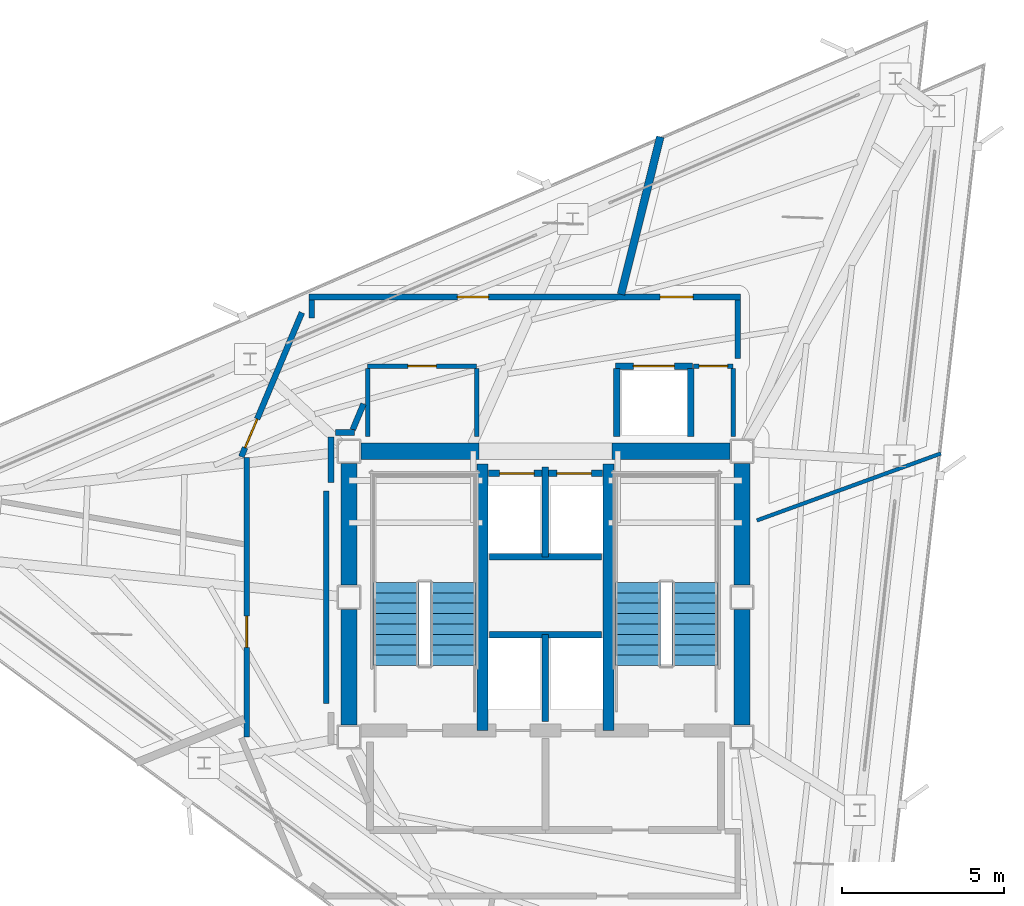
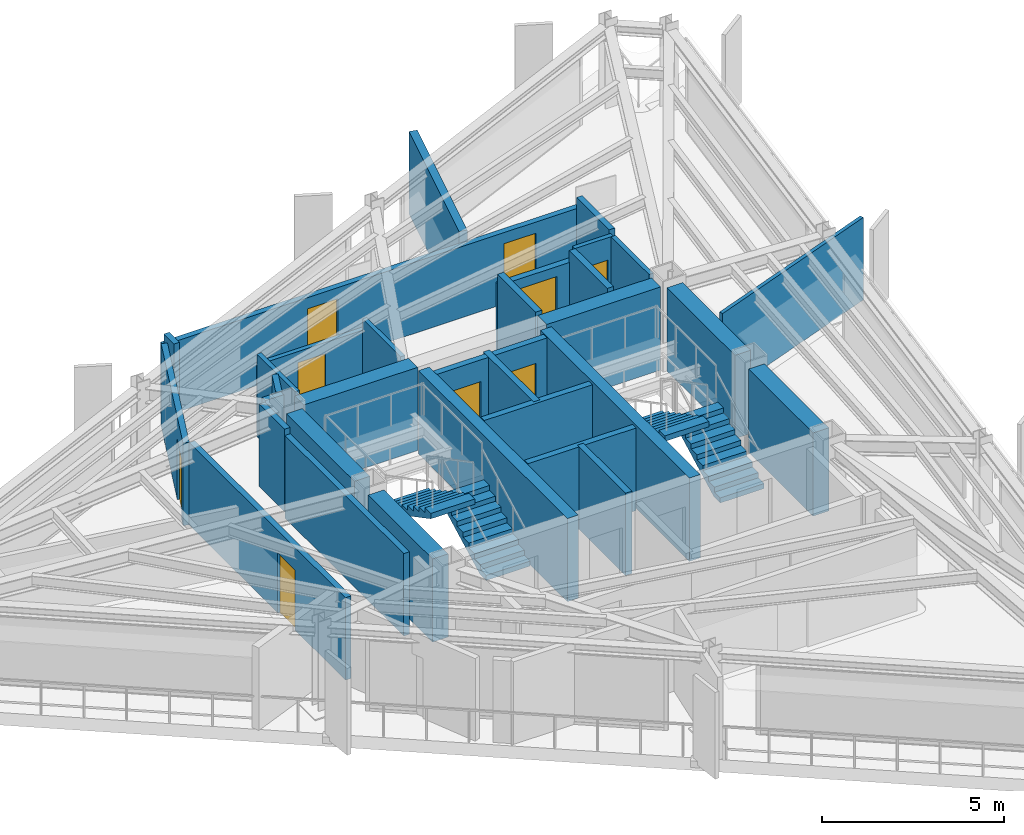
# One storey, part 6 of 10: 32 walls, 9 doors, 4 stair flights, 9 openings, 2 elements without a shape of their own.
"""IFC4 building model written with IfcOpenShell, lengths in metres."""

from ifc_helpers import new_model, si_unit, direction, frame, frame_2d, origin, place, context, subcontext, project, spatial, polyline, rectangle, outline, extrude, material, layer, layer_set, type_object, element, fill, aggregate, save


model = new_model("IFC4")

# Units and contexts
model_context = context("Model", 3, precision=1e-05, world=origin(), true_north=direction((0.0, 1.0)))
body_context = subcontext(model_context, "Body", "Model", "MODEL_VIEW")
ifc_project = project(units=[si_unit("LENGTHUNIT", "METRE"), si_unit("AREAUNIT", "SQUARE_METRE"), si_unit("VOLUMEUNIT", "CUBIC_METRE"), si_unit("PLANEANGLEUNIT", "RADIAN"), si_unit("MASSUNIT", "GRAM", prefix="KILO")], contexts=[model_context])

# Site, building, storey
site_placement = place(None, origin())
site = spatial("IfcSite", under=ifc_project, at=site_placement, CompositionType="ELEMENT")
building_placement = place(site_placement, origin())
building = spatial("IfcBuilding", under=site, at=building_placement, Name="Rocaltana Carrier Exchange", CompositionType="ELEMENT")
storey_placement = place(building_placement, frame((0.0, 0.0, 214.8798828125)))
storey = spatial("IfcBuildingStorey", under=building, at=storey_placement, Name="L68", CompositionType="ELEMENT", Elevation=214.8798828125)

# Walls
ifc_material_1 = material(Name="Concrete C50/60", Category="concrete")
ifc_layer_1 = layer(ifc_material_1, 0.35009765625)
ifc_layer_set_1 = layer_set([ifc_layer_1], Name="Concrete C50/60")
wall_type_1 = type_object("IfcWallType", Name="Core Internal Shear Wall 350", PredefinedType="SHEAR", material=ifc_layer_set_1)
for number, where, z_axis, x_axis, name in (
    (1, (-1.93994140625, -4.10009765625, 0.0), (0.0, 0.0, 1.0), (0.0, 1.0, 0.0), "L68 Core Shear Wall CW-STW"),
    (2, (1.93994140625, -4.10009765625, 0.0), (0.0, 0.0, 1.0), (0.0, 1.0, 0.0), "L68 Core Shear Wall CW-STE"),
):
    element("IfcWall", number, at=place(storey_placement, frame(where, z_axis=z_axis, x_axis=x_axis)), inside=storey, type_object=wall_type_1, Name=name, PredefinedType="SHEAR", context=body_context, shape_type="SweptSolid", body=[
        extrude(rectangle(XDim=8.2001953125, YDim=0.35009765625, at=frame_2d((4.10009765625, 0.0))), origin(), (0.0, 0.0, 1.0), 2.798095703125),
    ])
ifc_material_2 = material(Name="Concrete C50/60", Category="concrete")
ifc_layer_2 = layer(ifc_material_2, 0.5)
ifc_layer_set_2 = layer_set([ifc_layer_2], Name="Concrete C50/60")
wall_type_2 = type_object("IfcWallType", Name="Core Shear Wall 500", PredefinedType="SHEAR", material=ifc_layer_set_2)
wall_1_placement = place(storey_placement, frame((-6.050048828125, 0.375, 0.0), z_axis=(0.0, 0.0, 1.0), x_axis=(0.0, 1.0, 0.0)))
element("IfcWall", 3, at=wall_1_placement, inside=storey, type_object=wall_type_2, Name="L68 Core Shear Wall CW-WN", PredefinedType="SHEAR", context=body_context, shape_type="SweptSolid", body=[
    extrude(rectangle(XDim=3.75, YDim=0.5, at=frame_2d((1.875, 0.0))), origin(), (0.0, 0.0, 1.0), 2.798095703125),
])
wall_2_placement = place(storey_placement, frame((-6.050048828125, -3.925048828125, 0.0), z_axis=(0.0, 0.0, 1.0), x_axis=(0.0, 1.0, 0.0)))
element("IfcWall", 4, at=wall_2_placement, inside=storey, type_object=wall_type_2, Name="L68 Core Shear Wall CW-WS", PredefinedType="SHEAR", context=body_context, shape_type="SweptSolid", body=[
    extrude(rectangle(XDim=3.550048828125, YDim=0.5, at=frame_2d((1.77490234375, 0.0))), origin(), (0.0, 0.0, 1.0), 2.798095703125),
])
wall_3_placement = place(storey_placement, frame((6.050048828125, 0.375, 0.0), z_axis=(0.0, 0.0, 1.0), x_axis=(0.0, 1.0, 0.0)))
element("IfcWall", 5, at=wall_3_placement, inside=storey, type_object=wall_type_2, Name="L68 Core Shear Wall CW-EN", PredefinedType="SHEAR", context=body_context, shape_type="SweptSolid", body=[
    extrude(rectangle(XDim=3.75, YDim=0.5, at=frame_2d((1.875, 0.0))), origin(), (0.0, 0.0, 1.0), 2.798095703125),
])
wall_4_placement = place(storey_placement, frame((6.050048828125, -3.925048828125, 0.0), z_axis=(0.0, 0.0, 1.0), x_axis=(0.0, 1.0, 0.0)))
element("IfcWall", 6, at=wall_4_placement, inside=storey, type_object=wall_type_2, Name="L68 Core Shear Wall CW-ES", PredefinedType="SHEAR", context=body_context, shape_type="SweptSolid", body=[
    extrude(rectangle(XDim=3.550048828125, YDim=0.5, at=frame_2d((1.77490234375, 0.0))), origin(), (0.0, 0.0, 1.0), 2.798095703125),
])
for number, where, z_axis, x_axis, name in (
    (7, (-5.675048828125, 4.5, 0.0), (0.0, 0.0, 1.0), (1.0, 0.0, 0.0), "L68 Core Shear Wall CW-N1"),
    (8, (2.050048828125, 4.5, 0.0), (0.0, 0.0, 1.0), (1.0, 0.0, 0.0), "L68 Core Shear Wall CW-N2"),
):
    element("IfcWall", number, at=place(storey_placement, frame(where, z_axis=z_axis, x_axis=x_axis)), inside=storey, type_object=wall_type_2, Name=name, PredefinedType="SHEAR", context=body_context, shape_type="SweptSolid", body=[
        extrude(rectangle(XDim=3.625, YDim=0.5, at=frame_2d((1.8125, 0.0))), origin(), (0.0, 0.0, 1.0), 2.798095703125),
    ])

# Wall, opening, door
ifc_material_3 = material(Name="Gypsum & Steel Stud Partition", Category="steel")
ifc_layer_3 = layer(ifc_material_3, 0.179931640625)
ifc_layer_set_3 = layer_set([ifc_layer_3], Name="Gypsum & Steel Stud Partition")
wall_type_3 = type_object("IfcWallType", Name="Corridor Fire Partition 180 EI60", PredefinedType="PARTITIONING", material=ifc_layer_set_3)
wall_5_placement = place(storey_placement, frame((-9.199951171875, -4.303466796875, 0.0), z_axis=(0.0, 0.0, 1.0), x_axis=(0.0, 1.0, 0.0)))
wall_5 = element("IfcWall", 9, at=wall_5_placement, inside=storey, type_object=wall_type_3, Name="L68 Corridor Partition 2", PredefinedType="PARTITIONING", context=body_context, shape_type="SweptSolid", body=[
    extrude(rectangle(XDim=8.60693359375, YDim=0.179931640625, at=frame_2d((4.303466796875, 0.0))), origin(), (0.0, 0.0, 1.0), 2.773193359375),
])
opening_1_placement = place(wall_5_placement, frame((2.76708984375, 0.0, 0.0)))
opening_1 = element("IfcOpeningElement", 10, at=opening_1_placement, cuts=wall_5, Name="Opening D-RM098", PredefinedType="OPENING", context=body_context, shape_type="SweptSolid", body=[
    extrude(rectangle(XDim=0.9599609375, YDim=2.02001953125, at=frame_2d((0.47998046875, 1.010009765625))), frame((0.0, 0.099853515625, 0.0), z_axis=(0.0, -1.0, 0.0), x_axis=(1.0, 0.0, 0.0)), (0.0, 0.0, 1.0), 0.199951171875),
])
ifc_material_4 = material(Name="Engineered Hardwood Timber", Category="wood")
door_type_1 = type_object("IfcDoorType", Name="Workspace Single Door 960x2020", OperationType="NOTDEFINED", PredefinedType="DOOR", material=ifc_material_4)
door_1_placement = place(opening_1_placement, origin())
door_1 = element("IfcDoor", 11, at=door_1_placement, inside=storey, type_object=door_type_1, Name="L68 Network Engineering Studio Entrance Door", OperationType="SINGLE_SWING_LEFT", OverallHeight=2.02001953125, OverallWidth=0.9599609375, PredefinedType="DOOR", context=body_context, shape_type="SweptSolid", body=[
    extrude(rectangle(XDim=0.9599609375, YDim=2.02001953125, at=frame_2d((0.47998046875, 1.010009765625))), frame((0.0, 0.02490234375, 0.0), z_axis=(0.0, -1.0, 0.0), x_axis=(1.0, 0.0, 0.0)), (0.0, 0.0, 1.0), 0.050048828125),
])
fill(opening_1, door_1)

wall_6_placement = place(storey_placement, frame((-9.36669921875, 4.331787109375, 0.0), z_axis=(0.0, 0.0, 1.0), x_axis=(0.387573945081, 0.921838617706, 0.0)))
wall_6 = element("IfcWall", 12, at=wall_6_placement, inside=storey, type_object=wall_type_3, Name="L68 Corridor Partition 3", PredefinedType="PARTITIONING", context=body_context, shape_type="SweptSolid", body=[
    extrude(rectangle(XDim=4.813232421875, YDim=0.179931640625, at=frame_2d((2.40673828125, 0.0))), origin(), (0.0, 0.0, 1.0), 2.773193359375),
])
opening_2_placement = place(wall_6_placement, frame((0.302490234375, 0.0, 0.0)))
opening_2 = element("IfcOpeningElement", 13, at=opening_2_placement, cuts=wall_6, Name="Opening D-RM098", PredefinedType="OPENING", context=body_context, shape_type="SweptSolid", body=[
    extrude(rectangle(XDim=0.9599609375, YDim=2.02001953125, at=frame_2d((0.47998046875, 1.010009765625))), frame((0.0, 0.099853515625, 0.0), z_axis=(0.0, -1.0, 0.0), x_axis=(1.0, 0.0, 0.0)), (0.0, 0.0, 1.0), 0.199951171875),
])
door_2_placement = place(opening_2_placement, origin())
door_2 = element("IfcDoor", 14, at=door_2_placement, inside=storey, type_object=door_type_1, Name="L68 Quiet Focus Lounge Entrance Door", OperationType="SINGLE_SWING_LEFT", OverallHeight=2.02001953125, OverallWidth=0.9599609375, PredefinedType="DOOR", context=body_context, shape_type="SweptSolid", body=[
    extrude(rectangle(XDim=0.9599609375, YDim=2.02001953125, at=frame_2d((0.47998046875, 1.010009765625))), frame((0.0, 0.02490234375, 0.0), z_axis=(0.0, -1.0, 0.0), x_axis=(1.0, 0.0, 0.0)), (0.0, 0.0, 1.0), 0.050048828125),
])
fill(opening_2, door_2)

# Wall
wall_7_placement = place(storey_placement, frame((-7.199951171875, 8.6005859375, 0.0), z_axis=(0.0, 0.0, 1.0), x_axis=(0.0, 1.0, 0.0)))
element("IfcWall", 15, at=wall_7_placement, inside=storey, type_object=wall_type_3, Name="L68 Corridor Partition 4", PredefinedType="PARTITIONING", context=body_context, shape_type="SweptSolid", body=[
    extrude(rectangle(XDim=0.559326171875, YDim=0.179931640625, at=frame_2d((0.27978515625, 0.0))), origin(), (0.0, 0.0, 1.0), 2.773193359375),
])

# Wall, openings, doors
wall_8_placement = place(storey_placement, frame((-7.2900390625, 9.25, 0.0), z_axis=(0.0, 0.0, 1.0), x_axis=(1.0, 0.0, 0.0)))
wall_8 = element("IfcWall", 16, at=wall_8_placement, inside=storey, type_object=wall_type_3, Name="L68 Corridor Partition 5", PredefinedType="PARTITIONING", context=body_context, shape_type="SweptSolid", body=[
    extrude(rectangle(XDim=13.300048828125, YDim=0.179931640625, at=frame_2d((6.64990234375, 0.0))), origin(), (0.0, 0.0, 1.0), 2.39501953125),
])
opening_3_placement = place(wall_8_placement, frame((10.819091796875, 0.0, 0.0)))
opening_3 = element("IfcOpeningElement", 17, at=opening_3_placement, cuts=wall_8, Name="Opening D-LB104", PredefinedType="OPENING", context=body_context, shape_type="SweptSolid", body=[
    extrude(rectangle(XDim=1.02001953125, YDim=2.02001953125, at=frame_2d((0.510009765625, 1.010009765625))), frame((0.0, 0.099853515625, 0.0), z_axis=(0.0, -1.0, 0.0), x_axis=(1.0, 0.0, 0.0)), (0.0, 0.0, 1.0), 0.199951171875),
])
opening_4_placement = place(wall_8_placement, frame((4.5751953125, 0.0, 0.0)))
opening_4 = element("IfcOpeningElement", 18, at=opening_4_placement, cuts=wall_8, Name="Opening D-RM098", PredefinedType="OPENING", context=body_context, shape_type="SweptSolid", body=[
    extrude(rectangle(XDim=0.9599609375, YDim=2.02001953125, at=frame_2d((0.47998046875, 1.010009765625))), frame((0.0, 0.099853515625, 0.0), z_axis=(0.0, -1.0, 0.0), x_axis=(1.0, 0.0, 0.0)), (0.0, 0.0, 1.0), 0.199951171875),
])
ifc_material_5 = material(Name="Powder-Coated Aluminium 6063-T6", Category="aluminium")
door_type_2 = type_object("IfcDoorType", Name="Laboratory Acoustic Door 1020x2020", OperationType="NOTDEFINED", PredefinedType="DOOR", material=ifc_material_5)
door_3_placement = place(opening_3_placement, origin())
door_3 = element("IfcDoor", 19, at=door_3_placement, inside=storey, type_object=door_type_2, Name="L68 Protocol Calibration Laboratory Entrance Door", OperationType="SINGLE_SWING_LEFT", OverallHeight=2.02001953125, OverallWidth=1.02001953125, PredefinedType="DOOR", context=body_context, shape_type="SweptSolid", body=[
    extrude(rectangle(XDim=1.02001953125, YDim=2.02001953125, at=frame_2d((0.510009765625, 1.010009765625))), frame((0.0, 0.02490234375, 0.0), z_axis=(0.0, -1.0, 0.0), x_axis=(1.0, 0.0, 0.0)), (0.0, 0.0, 1.0), 0.050048828125),
])
fill(opening_3, door_3)
door_4_placement = place(opening_4_placement, origin())
door_4 = element("IfcDoor", 20, at=door_4_placement, inside=storey, type_object=door_type_1, Name="L68 Network Engineering Studio Entrance Door", OperationType="SINGLE_SWING_RIGHT", OverallHeight=2.02001953125, OverallWidth=0.9599609375, PredefinedType="DOOR", context=body_context, shape_type="SweptSolid", body=[
    extrude(rectangle(XDim=0.9599609375, YDim=2.02001953125, at=frame_2d((0.47998046875, 1.010009765625))), frame((0.0, 0.02490234375, 0.0), z_axis=(0.0, -1.0, 0.0), x_axis=(1.0, 0.0, 0.0)), (0.0, 0.0, 1.0), 0.050048828125),
])
fill(opening_4, door_4)

# Walls
wall_9_placement = place(storey_placement, frame((5.919921875, 9.159912109375, 0.0), z_axis=(0.0, 0.0, 1.0), x_axis=(0.0, -1.0, 0.0)))
element("IfcWall", 21, at=wall_9_placement, inside=storey, type_object=wall_type_3, Name="L68 Corridor Partition 6", PredefinedType="PARTITIONING", context=body_context, shape_type="SweptSolid", body=[
    extrude(rectangle(XDim=1.7998046875, YDim=0.179931640625, at=frame_2d((0.89990234375, 0.0))), origin(), (0.0, 0.0, 1.0), 2.773193359375),
])
wall_10_placement = place(storey_placement, frame((-5.602294921875, 5.9580078125, 0.0), z_axis=(0.0, 0.0, 1.0), x_axis=(-0.387588639363, -0.921832439566, 0.0)))
element("IfcWall", 22, at=wall_10_placement, inside=storey, type_object=wall_type_3, Name="L68 Corridor Partition 8", PredefinedType="PARTITIONING", context=body_context, shape_type="SweptSolid", body=[
    extrude(rectangle(XDim=0.8623046875, YDim=0.179931640625, at=frame_2d((0.43115234375, 0.0))), origin(), (0.0, 0.0, 1.0), 2.773193359375),
])
wall_11_placement = place(storey_placement, frame((-5.88134765625, 5.080078125, 0.0), z_axis=(0.0, 0.0, 1.0), x_axis=(-1.0, 0.0, 0.0)))
element("IfcWall", 23, at=wall_11_placement, inside=storey, type_object=wall_type_3, Name="L68 Corridor Partition 9", PredefinedType="PARTITIONING", context=body_context, shape_type="SweptSolid", body=[
    extrude(rectangle(XDim=0.588623046875, YDim=0.179931640625, at=frame_2d((0.29443359375, 0.0))), origin(), (0.0, 0.0, 1.0), 2.773193359375),
])
wall_12_placement = place(storey_placement, frame((-6.610107421875, 4.93994140625, 0.0), z_axis=(0.0, 0.0, 1.0), x_axis=(0.0, -1.0, 0.0)))
element("IfcWall", 24, at=wall_12_placement, inside=storey, type_object=wall_type_3, Name="L68 Corridor Partition 10", PredefinedType="PARTITIONING", context=body_context, shape_type="SweptSolid", body=[
    extrude(rectangle(XDim=1.398681640625, YDim=0.179931640625, at=frame_2d((0.69921875, 0.0))), origin(), (0.0, 0.0, 1.0), 2.773193359375),
])
wall_13_placement = place(storey_placement, frame((-6.75, 3.2734375, 0.0), z_axis=(0.0, 0.0, 1.0), x_axis=(0.0, -1.0, 0.0)))
element("IfcWall", 25, at=wall_13_placement, inside=storey, type_object=wall_type_3, Name="L68 Corridor Partition 11", PredefinedType="PARTITIONING", context=body_context, shape_type="SweptSolid", body=[
    extrude(rectangle(XDim=6.546875, YDim=0.179931640625, at=frame_2d((3.2734375, 0.0))), origin(), (0.0, 0.0, 1.0), 2.773193359375),
])
ifc_material_6 = material(Name="Aluminium 6063-T6 & Acoustic Glass", Category="aluminium")
ifc_layer_4 = layer(ifc_material_6, 0.114990234375)
ifc_layer_set_4 = layer_set([ifc_layer_4], Name="Aluminium 6063-T6 & Acoustic Glass")
wall_type_4 = type_object("IfcWallType", Name="Demountable Glazed Lab Partition 115", PredefinedType="MOVABLE", material=ifc_layer_set_4)
wall_14_placement = place(storey_placement, frame((6.510009765625, 2.369384765625, 0.0), z_axis=(0.0, 0.0, 1.0), x_axis=(0.939690503952, 0.342025959222, 0.0)))
element("IfcWall", 26, at=wall_14_placement, inside=storey, type_object=wall_type_4, Name="L68 Suite Divider Wall D3", PredefinedType="MOVABLE", context=body_context, shape_type="SweptSolid", body=[
    extrude(rectangle(XDim=6.028076171875, YDim=0.114990234375, at=frame_2d((3.01416015625, 0.0))), origin(), (0.0, 0.0, 1.0), 2.773193359375),
])
ifc_material_7 = material(Name="Acoustic Calcium Silicate Partition", Category="gypsum")
ifc_layer_5 = layer(ifc_material_7, 0.239990234375)
ifc_layer_set_5 = layer_set([ifc_layer_5], Name="Acoustic Calcium Silicate Partition")
wall_type_5 = type_object("IfcWallType", Name="Heavy Lab Partition 240 EI90", PredefinedType="PARTITIONING", material=ifc_layer_set_5)
wall_15_placement = place(storey_placement, frame((2.326171875, 9.330078125, 0.0), z_axis=(0.0, 0.0, 1.0), x_axis=(0.24192658113, 0.97029455803, 0.0)))
element("IfcWall", 27, at=wall_15_placement, inside=storey, type_object=wall_type_5, Name="L68 Suite Divider Wall D4", PredefinedType="PARTITIONING", context=body_context, shape_type="SweptSolid", body=[
    extrude(rectangle(XDim=4.999267578125, YDim=0.239990234375, at=frame_2d((2.49951171875, 0.0))), origin(), (0.0, 0.0, 1.0), 2.773193359375),
])
ifc_material_8 = material(Name="Reinforced Concrete Block C35/45", Category="concrete")
ifc_layer_6 = layer(ifc_material_8, 0.199951171875)
ifc_layer_set_6 = layer_set([ifc_layer_6], Name="Reinforced Concrete Block C35/45")
wall_type_6 = type_object("IfcWallType", Name="Lift Hoistway Enclosure Wall 200 EI120", PredefinedType="PARTITIONING", material=ifc_layer_set_6)
wall_16_placement = place(storey_placement, frame((0.0, -3.820068359375, 0.0), z_axis=(0.0, 0.0, 1.0), x_axis=(0.0, 1.0, 0.0)))
element("IfcWall", 28, at=wall_16_placement, inside=storey, type_object=wall_type_6, Name="L68 FFL Shaft Divider", PredefinedType="PARTITIONING", context=body_context, shape_type="SweptSolid", body=[
    extrude(rectangle(XDim=2.670166015625, YDim=0.199951171875, at=frame_2d((1.3349609375, 0.0))), origin(), (0.0, 0.0, 1.0), 2.773193359375),
])
wall_17_placement = place(storey_placement, frame((-1.719970703125, -1.14990234375, 0.0), z_axis=(0.0, 0.0, 1.0), x_axis=(1.0, 0.0, 0.0)))
element("IfcWall", 29, at=wall_17_placement, inside=storey, type_object=wall_type_6, Name="L68 FFL Shaft Back Wall", PredefinedType="PARTITIONING", context=body_context, shape_type="SweptSolid", body=[
    extrude(rectangle(XDim=3.43994140625, YDim=0.199951171875, at=frame_2d((1.719970703125, 0.0))), origin(), (0.0, 0.0, 1.0), 2.773193359375),
])
wall_18_placement = place(storey_placement, frame((0.0, 1.25, 0.0), z_axis=(0.0, 0.0, 1.0), x_axis=(0.0, 1.0, 0.0)))
element("IfcWall", 30, at=wall_18_placement, inside=storey, type_object=wall_type_6, Name="L68 High-Rise Shaft Divider", PredefinedType="PARTITIONING", context=body_context, shape_type="SweptSolid", body=[
    extrude(rectangle(XDim=2.77001953125, YDim=0.199951171875, at=frame_2d((1.385009765625, 0.0))), origin(), (0.0, 0.0, 1.0), 2.773193359375),
])
wall_19_placement = place(storey_placement, frame((-1.719970703125, 1.25, 0.0), z_axis=(0.0, 0.0, 1.0), x_axis=(1.0, 0.0, 0.0)))
element("IfcWall", 31, at=wall_19_placement, inside=storey, type_object=wall_type_6, Name="L68 High-Rise Shaft Back Wall", PredefinedType="PARTITIONING", context=body_context, shape_type="SweptSolid", body=[
    extrude(rectangle(XDim=3.43994140625, YDim=0.199951171875, at=frame_2d((1.719970703125, 0.0))), origin(), (0.0, 0.0, 1.0), 2.773193359375),
])

# Wall, openings, doors
wall_20_placement = place(storey_placement, frame((-1.760009765625, 3.820068359375, 0.0), z_axis=(0.0, 0.0, 1.0), x_axis=(1.0, 0.0, 0.0)))
wall_20 = element("IfcWall", 32, at=wall_20_placement, inside=storey, type_object=wall_type_6, Name="L68 High-Rise Lift Front Wall", PredefinedType="PARTITIONING", context=body_context, shape_type="SweptSolid", body=[
    extrude(rectangle(XDim=3.52001953125, YDim=0.199951171875, at=frame_2d((1.760009765625, 0.0))), origin(), (0.0, 0.0, 1.0), 2.773193359375),
])
opening_5_placement = place(wall_20_placement, frame((0.35009765625, 0.0, 0.0)))
opening_5 = element("IfcOpeningElement", 33, at=opening_5_placement, cuts=wall_20, Name="Opening LD-110", PredefinedType="OPENING", context=body_context, shape_type="SweptSolid", body=[
    extrude(rectangle(XDim=1.06005859375, YDim=2.0400390625, at=frame_2d((0.530029296875, 1.02001953125))), frame((0.0, 0.10986328125, 0.0), z_axis=(0.0, -1.0, 0.0), x_axis=(1.0, 0.0, 0.0)), (0.0, 0.0, 1.0), 0.219970703125),
])
opening_6_placement = place(wall_20_placement, frame((2.110107421875, 0.0, 0.0)))
opening_6 = element("IfcOpeningElement", 34, at=opening_6_placement, cuts=wall_20, Name="Opening LD-110", PredefinedType="OPENING", context=body_context, shape_type="SweptSolid", body=[
    extrude(rectangle(XDim=1.06005859375, YDim=2.0400390625, at=frame_2d((0.530029296875, 1.02001953125))), frame((0.0, 0.10986328125, 0.0), z_axis=(0.0, -1.0, 0.0), x_axis=(1.0, 0.0, 0.0)), (0.0, 0.0, 1.0), 0.219970703125),
])
ifc_material_9 = material(Name="Brushed Stainless Sliding Door Leaf", Category="steel")
door_type_3 = type_object("IfcDoorType", Name="Lift Landing Sliding Door 1060x2040", OperationType="NOTDEFINED", PredefinedType="DOOR", material=ifc_material_9)
door_5_placement = place(opening_5_placement, origin())
door_5 = element("IfcDoor", 35, at=door_5_placement, inside=storey, type_object=door_type_3, Name="L68 High-Rise Lift PLH1 Landing Door", OperationType="SLIDING_TO_LEFT", OverallHeight=2.0400390625, OverallWidth=1.06005859375, PredefinedType="DOOR", context=body_context, shape_type="SweptSolid", body=[
    extrude(rectangle(XDim=1.06005859375, YDim=2.0400390625, at=frame_2d((0.530029296875, 1.02001953125))), frame((0.0, 0.02490234375, 0.0), z_axis=(0.0, -1.0, 0.0), x_axis=(1.0, 0.0, 0.0)), (0.0, 0.0, 1.0), 0.050048828125),
])
fill(opening_5, door_5)
door_6_placement = place(opening_6_placement, origin())
door_6 = element("IfcDoor", 36, at=door_6_placement, inside=storey, type_object=door_type_3, Name="L68 High-Rise Lift PLH2 Landing Door", OperationType="SLIDING_TO_RIGHT", OverallHeight=2.0400390625, OverallWidth=1.06005859375, PredefinedType="DOOR", context=body_context, shape_type="SweptSolid", body=[
    extrude(rectangle(XDim=1.06005859375, YDim=2.0400390625, at=frame_2d((0.530029296875, 1.02001953125))), frame((0.0, 0.02490234375, 0.0), z_axis=(0.0, -1.0, 0.0), x_axis=(1.0, 0.0, 0.0)), (0.0, 0.0, 1.0), 0.050048828125),
])
fill(opening_6, door_6)

# Walls
for number, where, z_axis, x_axis, name in (
    (37, (2.199951171875, 4.949951171875, 0.0), (0.0, 0.0, 1.0), (0.0, 1.0, 0.0), "L68 Goods Lift West Wall"),
    (38, (4.47998046875, 4.949951171875, 0.0), (0.0, 0.0, 1.0), (0.0, 1.0, 0.0), "L68 Goods Lift East Wall"),
):
    element("IfcWall", number, at=place(storey_placement, frame(where, z_axis=z_axis, x_axis=x_axis)), inside=storey, type_object=wall_type_6, Name=name, PredefinedType="PARTITIONING", context=body_context, shape_type="SweptSolid", body=[
        extrude(rectangle(XDim=2.10009765625, YDim=0.199951171875, at=frame_2d((1.050048828125, 0.0))), origin(), (0.0, 0.0, 1.0), 2.773193359375),
    ])

# Wall, opening, door
wall_21_placement = place(storey_placement, frame((2.14990234375, 7.1201171875, 0.0), z_axis=(0.0, 0.0, 1.0), x_axis=(1.0, 0.0, 0.0)))
wall_21 = element("IfcWall", 39, at=wall_21_placement, inside=storey, type_object=wall_type_6, Name="L68 Goods Lift Front Wall", PredefinedType="PARTITIONING", context=body_context, shape_type="SweptSolid", body=[
    extrude(rectangle(XDim=2.380126953125, YDim=0.199951171875, at=frame_2d((1.18994140625, 0.0))), origin(), (0.0, 0.0, 1.0), 2.39501953125),
])
opening_7_placement = place(wall_21_placement, frame((0.56005859375, 0.0, 0.0)))
opening_7 = element("IfcOpeningElement", 40, at=opening_7_placement, cuts=wall_21, Name="Opening LD-130", PredefinedType="OPENING", context=body_context, shape_type="SweptSolid", body=[
    extrude(rectangle(XDim=1.260009765625, YDim=2.06005859375, at=frame_2d((0.6298828125, 1.030029296875))), frame((0.0, 0.10986328125, 0.0), z_axis=(0.0, -1.0, 0.0), x_axis=(1.0, 0.0, 0.0)), (0.0, 0.0, 1.0), 0.219970703125),
])
ifc_material_10 = material(Name="Brushed Stainless Sliding Door Leaf", Category="steel")
door_type_4 = type_object("IfcDoorType", Name="Goods Lift Landing Sliding Door 1260x2060", OperationType="NOTDEFINED", PredefinedType="DOOR", material=ifc_material_10)
door_7_placement = place(opening_7_placement, origin())
door_7 = element("IfcDoor", 41, at=door_7_placement, inside=storey, type_object=door_type_4, Name="L68 Goods Lift GL-1 Landing Door", OperationType="SLIDING_TO_LEFT", OverallHeight=2.06005859375, OverallWidth=1.260009765625, PredefinedType="DOOR", context=body_context, shape_type="SweptSolid", body=[
    extrude(rectangle(XDim=1.260009765625, YDim=2.06005859375, at=frame_2d((0.6298828125, 1.030029296875))), frame((0.0, 0.02490234375, 0.0), z_axis=(0.0, -1.0, 0.0), x_axis=(1.0, 0.0, 0.0)), (0.0, 0.0, 1.0), 0.050048828125),
])
fill(opening_7, door_7)

# Walls
ifc_material_11 = material(Name="Moisture-Resistant Masonry C30/37", Category="masonry")
ifc_layer_7 = layer(ifc_material_11, 0.139892578125)
ifc_layer_set_7 = layer_set([ifc_layer_7], Name="Moisture-Resistant Masonry C30/37")
wall_type_7 = type_object("IfcWallType", Name="Wet-Area Sanitary Partition 140", PredefinedType="PARTITIONING", material=ifc_layer_set_7)
for number, where, z_axis, x_axis, name in (
    (42, (-5.47998046875, 4.949951171875, 0.0), (0.0, 0.0, 1.0), (0.0, 1.0, 0.0), "L68 Sanitary West Wall"),
    (43, (-2.1201171875, 4.949951171875, 0.0), (0.0, 0.0, 1.0), (0.0, 1.0, 0.0), "L68 Sanitary East Wall"),
):
    element("IfcWall", number, at=place(storey_placement, frame(where, z_axis=z_axis, x_axis=x_axis)), inside=storey, type_object=wall_type_7, Name=name, PredefinedType="PARTITIONING", context=body_context, shape_type="SweptSolid", body=[
        extrude(rectangle(XDim=2.10009765625, YDim=0.139892578125, at=frame_2d((1.050048828125, 0.0))), origin(), (0.0, 0.0, 1.0), 2.773193359375),
    ])

# Wall, opening, door
wall_22_placement = place(storey_placement, frame((-5.47998046875, 7.1201171875, 0.0), z_axis=(0.0, 0.0, 1.0), x_axis=(1.0, 0.0, 0.0)))
wall_22 = element("IfcWall", 44, at=wall_22_placement, inside=storey, type_object=wall_type_7, Name="L68 Sanitary North Wall", PredefinedType="PARTITIONING", context=body_context, shape_type="SweptSolid", body=[
    extrude(rectangle(XDim=3.35986328125, YDim=0.139892578125, at=frame_2d((1.679931640625, 0.0))), origin(), (0.0, 0.0, 1.0), 2.39501953125),
])
opening_8_placement = place(wall_22_placement, frame((1.239990234375, 0.0, 0.0)))
opening_8 = element("IfcOpeningElement", 45, at=opening_8_placement, cuts=wall_22, Name="Opening D-WC090", PredefinedType="OPENING", context=body_context, shape_type="SweptSolid", body=[
    extrude(rectangle(XDim=0.8798828125, YDim=2.02001953125, at=frame_2d((0.43994140625, 1.010009765625))), frame((0.0, 0.079833984375, 0.0), z_axis=(0.0, -1.0, 0.0), x_axis=(1.0, 0.0, 0.0)), (0.0, 0.0, 1.0), 0.159912109375),
])
ifc_material_12 = material(Name="High-Pressure Laminate Timber", Category="wood")
door_type_5 = type_object("IfcDoorType", Name="Restroom & Accessible WC Door 880x2020", OperationType="NOTDEFINED", PredefinedType="DOOR", material=ifc_material_12)
door_8_placement = place(opening_8_placement, origin())
door_8 = element("IfcDoor", 46, at=door_8_placement, inside=storey, type_object=door_type_5, Name="L68 Accessible Toilet Door", OperationType="SINGLE_SWING_LEFT", OverallHeight=2.02001953125, OverallWidth=0.8798828125, PredefinedType="DOOR", context=body_context, shape_type="SweptSolid", body=[
    extrude(rectangle(XDim=0.8798828125, YDim=2.02001953125, at=frame_2d((0.43994140625, 1.010009765625))), frame((0.0, 0.02490234375, 0.0), z_axis=(0.0, -1.0, 0.0), x_axis=(1.0, 0.0, 0.0)), (0.0, 0.0, 1.0), 0.050048828125),
])
fill(opening_8, door_8)

# Wall
wall_23_placement = place(storey_placement, frame((5.780029296875, 4.949951171875, 0.0), z_axis=(0.0, 0.0, 1.0), x_axis=(0.0, 1.0, 0.0)))
element("IfcWall", 47, at=wall_23_placement, inside=storey, type_object=wall_type_7, Name="L68 Restroom East Wall", PredefinedType="PARTITIONING", context=body_context, shape_type="SweptSolid", body=[
    extrude(rectangle(XDim=2.10009765625, YDim=0.139892578125, at=frame_2d((1.050048828125, 0.0))), origin(), (0.0, 0.0, 1.0), 2.773193359375),
])

# Wall, opening, door
wall_24_placement = place(storey_placement, frame((4.56005859375, 7.1201171875, 0.0), z_axis=(0.0, 0.0, 1.0), x_axis=(1.0, 0.0, 0.0)))
wall_24 = element("IfcWall", 48, at=wall_24_placement, inside=storey, type_object=wall_type_7, Name="L68 Restroom North Wall", PredefinedType="PARTITIONING", context=body_context, shape_type="SweptSolid", body=[
    extrude(rectangle(XDim=1.219970703125, YDim=0.139892578125, at=frame_2d((0.60986328125, 0.0))), origin(), (0.0, 0.0, 1.0), 2.773193359375),
])
opening_9_placement = place(wall_24_placement, frame((0.169921875, 0.0, 0.0)))
opening_9 = element("IfcOpeningElement", 49, at=opening_9_placement, cuts=wall_24, Name="Opening D-WC090", PredefinedType="OPENING", context=body_context, shape_type="SweptSolid", body=[
    extrude(rectangle(XDim=0.8798828125, YDim=2.02001953125, at=frame_2d((0.43994140625, 1.010009765625))), frame((0.0, 0.079833984375, 0.0), z_axis=(0.0, -1.0, 0.0), x_axis=(1.0, 0.0, 0.0)), (0.0, 0.0, 1.0), 0.159912109375),
])
door_9_placement = place(opening_9_placement, origin())
door_9 = element("IfcDoor", 50, at=door_9_placement, inside=storey, type_object=door_type_5, Name="L68 Staff Restroom Door", OperationType="SINGLE_SWING_RIGHT", OverallHeight=2.02001953125, OverallWidth=0.8798828125, PredefinedType="DOOR", context=body_context, shape_type="SweptSolid", body=[
    extrude(rectangle(XDim=0.8798828125, YDim=2.02001953125, at=frame_2d((0.43994140625, 1.010009765625))), frame((0.0, 0.02490234375, 0.0), z_axis=(0.0, -1.0, 0.0), x_axis=(1.0, 0.0, 0.0)), (0.0, 0.0, 1.0), 0.050048828125),
])
fill(opening_9, door_9)

# Stair, stair flights
ifc_material_13 = material(Name="Precast concrete C45/55", Category="concrete")
stair_type = type_object("IfcStairType", Name="Standard Dog-Leg Stair 160", PredefinedType="HALF_TURN_STAIR", material=ifc_material_13)
stair_1_placement = place(storey_placement, origin())
stair_1 = element("IfcStair", 51, at=stair_1_placement, inside=storey, type_object=stair_type, Name="L68 Core West Exit Stair ST-1", PredefinedType="HALF_TURN_STAIR")
ifc_material_14 = material(Name="Precast concrete C45/55", Category="concrete")
stair_flight_type = type_object("IfcStairFlightType", Name="Precast Stair Flight 160", PredefinedType="STRAIGHT", material=ifc_material_14)
stair_flight_1_placement = place(storey_placement, frame((-2.840087890625, -2.10009765625, 0.0), z_axis=(0.0, 0.0, 1.0), x_axis=(0.0, 1.0, 0.0)))
stair_flight_1 = element("IfcStairFlight", 52, at=stair_flight_1_placement, type_object=stair_flight_type, Name="ST-1 flight 1", NumberOfRisers=9, NumberOfTreads=8, PredefinedType="STRAIGHT", RiserHeight=0.168888889, TreadLength=0.32, context=body_context, shape_type="SweptSolid", body=[
    extrude(outline(polyline([(0.0, 0.0), (0.0, 0.1689453125), (0.320068359375, 0.1689453125), (0.320068359375, 0.337890625), (0.639892578125, 0.337890625), (0.639892578125, 0.506591796875), (0.9599609375, 0.506591796875), (0.9599609375, 0.675537109375), (1.280029296875, 0.675537109375), (1.280029296875, 0.844482421875), (1.60009765625, 0.844482421875), (1.60009765625, 1.013427734375), (1.919921875, 1.013427734375), (1.919921875, 1.18212890625), (2.239990234375, 1.18212890625), (2.239990234375, 1.35107421875), (2.56005859375, 1.35107421875), (2.56005859375, 1.52001953125), (2.56005859375, 1.17041015625), (0.342529296875, 0.0), (0.0, 0.0)])), frame((0.0, 0.699951171875, 0.0), z_axis=(0.0, -1.0, 0.0), x_axis=(1.0, 0.0, 0.0)), (0.0, 0.0, 1.0), 1.39990234375),
])
stair_flight_2_placement = place(storey_placement, frame((-4.60009765625, 0.4599609375, 1.52001953125), z_axis=(0.0, 0.0, 1.0), x_axis=(0.0, -1.0, 0.0)))
stair_flight_2 = element("IfcStairFlight", 53, at=stair_flight_2_placement, type_object=stair_flight_type, Name="ST-1 flight 2", NumberOfRisers=9, NumberOfTreads=8, PredefinedType="STRAIGHT", RiserHeight=0.168888889, TreadLength=0.32, context=body_context, shape_type="SweptSolid", body=[
    extrude(outline(polyline([(0.0, 0.0), (0.0, 0.1689453125), (0.320068359375, 0.1689453125), (0.320068359375, 0.337890625), (0.639892578125, 0.337890625), (0.639892578125, 0.506591796875), (0.9599609375, 0.506591796875), (0.9599609375, 0.675537109375), (1.280029296875, 0.675537109375), (1.280029296875, 0.844482421875), (1.60009765625, 0.844482421875), (1.60009765625, 1.013427734375), (1.919921875, 1.013427734375), (1.919921875, 1.18212890625), (2.239990234375, 1.18212890625), (2.239990234375, 1.35107421875), (2.56005859375, 1.35107421875), (2.56005859375, 1.52001953125), (2.56005859375, 1.17041015625), (0.342529296875, 0.0), (0.0, 0.0)])), frame((0.0, 0.699951171875, 0.0), z_axis=(0.0, -1.0, 0.0), x_axis=(1.0, 0.0, 0.0)), (0.0, 0.0, 1.0), 1.39990234375),
])
aggregate(stair_1, [stair_flight_1, stair_flight_2])

stair_2_placement = place(storey_placement, origin())
stair_2 = element("IfcStair", 54, at=stair_2_placement, inside=storey, type_object=stair_type, Name="L68 Core East Exit Stair ST-2", PredefinedType="HALF_TURN_STAIR")
stair_flight_3_placement = place(storey_placement, frame((4.60009765625, -2.10009765625, 0.0), z_axis=(0.0, 0.0, 1.0), x_axis=(0.0, 1.0, 0.0)))
stair_flight_3 = element("IfcStairFlight", 55, at=stair_flight_3_placement, type_object=stair_flight_type, Name="ST-2 flight 1", NumberOfRisers=9, NumberOfTreads=8, PredefinedType="STRAIGHT", RiserHeight=0.168888889, TreadLength=0.32, context=body_context, shape_type="SweptSolid", body=[
    extrude(outline(polyline([(0.0, 0.0), (0.0, 0.1689453125), (0.320068359375, 0.1689453125), (0.320068359375, 0.337890625), (0.639892578125, 0.337890625), (0.639892578125, 0.506591796875), (0.9599609375, 0.506591796875), (0.9599609375, 0.675537109375), (1.280029296875, 0.675537109375), (1.280029296875, 0.844482421875), (1.60009765625, 0.844482421875), (1.60009765625, 1.013427734375), (1.919921875, 1.013427734375), (1.919921875, 1.18212890625), (2.239990234375, 1.18212890625), (2.239990234375, 1.35107421875), (2.56005859375, 1.35107421875), (2.56005859375, 1.52001953125), (2.56005859375, 1.17041015625), (0.342529296875, 0.0), (0.0, 0.0)])), frame((0.0, 0.699951171875, 0.0), z_axis=(0.0, -1.0, 0.0), x_axis=(1.0, 0.0, 0.0)), (0.0, 0.0, 1.0), 1.39990234375),
])
stair_flight_4_placement = place(storey_placement, frame((2.840087890625, 0.4599609375, 1.52001953125), z_axis=(0.0, 0.0, 1.0), x_axis=(0.0, -1.0, 0.0)))
stair_flight_4 = element("IfcStairFlight", 56, at=stair_flight_4_placement, type_object=stair_flight_type, Name="ST-2 flight 2", NumberOfRisers=9, NumberOfTreads=8, PredefinedType="STRAIGHT", RiserHeight=0.168888889, TreadLength=0.32, context=body_context, shape_type="SweptSolid", body=[
    extrude(outline(polyline([(0.0, 0.0), (0.0, 0.1689453125), (0.320068359375, 0.1689453125), (0.320068359375, 0.337890625), (0.639892578125, 0.337890625), (0.639892578125, 0.506591796875), (0.9599609375, 0.506591796875), (0.9599609375, 0.675537109375), (1.280029296875, 0.675537109375), (1.280029296875, 0.844482421875), (1.60009765625, 0.844482421875), (1.60009765625, 1.013427734375), (1.919921875, 1.013427734375), (1.919921875, 1.18212890625), (2.239990234375, 1.18212890625), (2.239990234375, 1.35107421875), (2.56005859375, 1.35107421875), (2.56005859375, 1.52001953125), (2.56005859375, 1.17041015625), (0.342529296875, 0.0), (0.0, 0.0)])), frame((0.0, 0.699951171875, 0.0), z_axis=(0.0, -1.0, 0.0), x_axis=(1.0, 0.0, 0.0)), (0.0, 0.0, 1.0), 1.39990234375),
])
aggregate(stair_2, [stair_flight_3, stair_flight_4])

save(model, "model.ifc")
